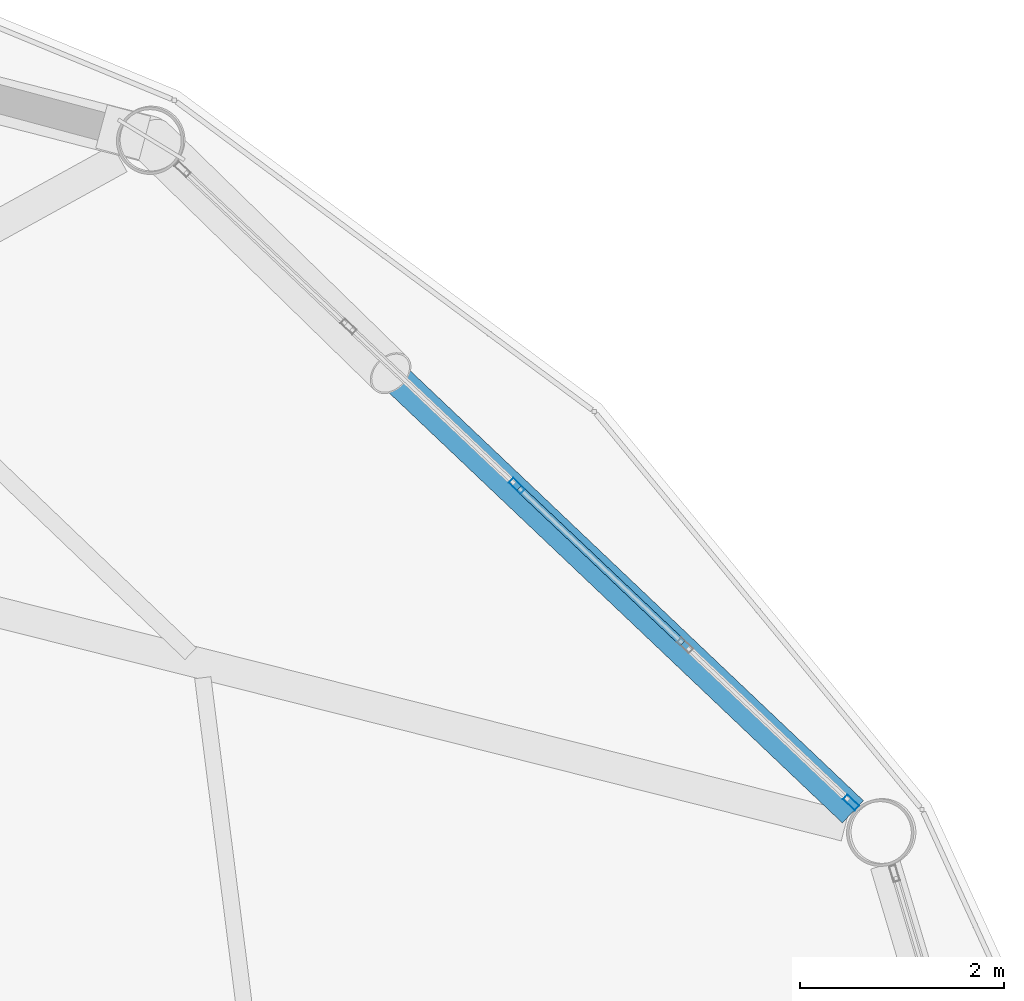
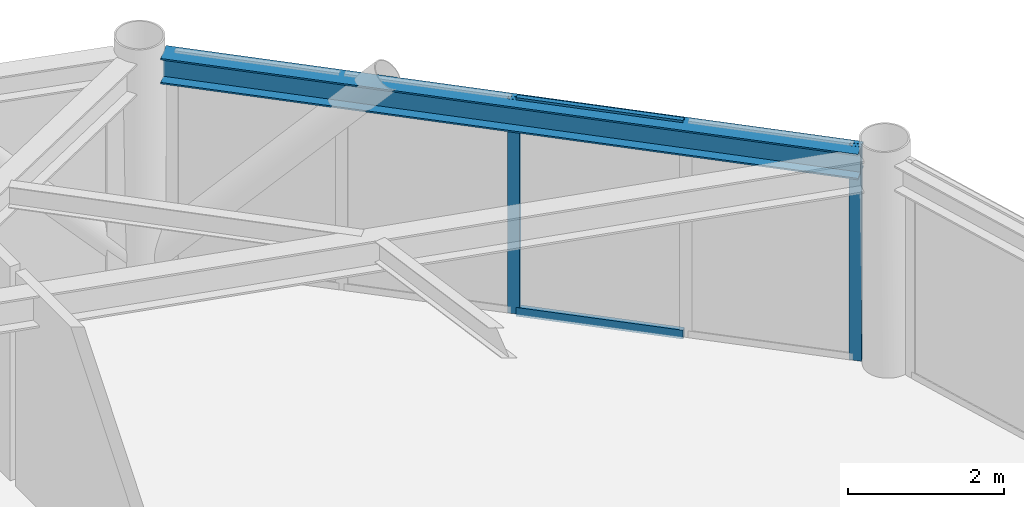
# One storey, part 19 of 29: 4 members, 1 beam, 1 element without a shape of its own.
"""IFC4 building model written with IfcOpenShell, lengths in metres."""

from ifc_helpers import new_model, si_unit, direction, frame, origin, origin_2d, place, context, subcontext, project, spatial, hollow_rectangle, i_section, extrude, material, layer, layer_set, material_profile, profile_set, type_object, element, aggregate, save


model = new_model("IFC4")

# Units and contexts
model_context = context("Model", 3, precision=1e-05, world=origin(), true_north=direction((0.0, 1.0)))
body_context = subcontext(model_context, "Body", "Model", "MODEL_VIEW")
ifc_project = project(units=[si_unit("LENGTHUNIT", "METRE"), si_unit("AREAUNIT", "SQUARE_METRE"), si_unit("VOLUMEUNIT", "CUBIC_METRE"), si_unit("PLANEANGLEUNIT", "RADIAN"), si_unit("MASSUNIT", "GRAM", prefix="KILO")], contexts=[model_context])

# Site, building, storey
site_placement = place(None, origin())
site = spatial("IfcSite", under=ifc_project, at=site_placement, CompositionType="ELEMENT")
building_placement = place(site_placement, origin())
building = spatial("IfcBuilding", under=site, at=building_placement, Name="Varnakorn Sky Granary", CompositionType="ELEMENT")
storey_placement = place(building_placement, frame((0.0, 0.0, 182.39990234375)))
storey = spatial("IfcBuildingStorey", under=building, at=storey_placement, Name="L45", CompositionType="ELEMENT", Elevation=182.39990234375)

# Beam
ifc_material_1 = material(Name="Steel S355JR", Category="steel")
ifc_material_profile_1 = material_profile(ifc_material_1, i_section(OverallWidth=0.300048828125, OverallDepth=0.39990234375, WebThickness=0.013427734375, FlangeThickness=0.02392578125, at=origin_2d()), Name="HE 400 B")
ifc_profile_set_1 = profile_set([ifc_material_profile_1], Name="Steel S355JR")
beam_type = type_object("IfcBeamType", Name="BM-SPD-Z4", PredefinedType="SPANDREL", material=ifc_profile_set_1)
beam_placement = place(storey_placement, frame((21.519287109375, 9.473388671875, 3.16015625), z_axis=(-0.725435205261, 0.688290464098, 0.0), x_axis=(-0.688290464098, -0.725435205261, 0.0)))
element("IfcBeam", 1, at=beam_placement, inside=storey, type_object=beam_type, Name="Perimeter Spandrel Ring Beam RB02 L45", PredefinedType="SPANDREL", context=body_context, shape_type="SweptSolid", body=[
    extrude(i_section(OverallWidth=0.300048828125, OverallDepth=0.39990234375, WebThickness=0.013427734375, FlangeThickness=0.02392578125, at=origin_2d()), origin(), (0.0, 0.0, 1.0), 9.21484375),
])

# Curtain wall, members
ifc_material_2 = material(Name="Anodised Bronze Aluminium Alloy 6063-T6", Category="aluminium")
ifc_layer = layer(ifc_material_2, 0.169921875, Name="Anodised Bronze Aluminium Alloy 6063-T6")
ifc_layer_set = layer_set([ifc_layer], Name="Anodised Bronze Aluminium Alloy 6063-T6")
curtain_wall_type = type_object("IfcCurtainWallType", Name="CW-LAB-1", PredefinedType="USERDEFINED", material=ifc_layer_set)
curtain_wall_placement = place(storey_placement, origin())
curtain_wall = element("IfcCurtainWall", 2, at=curtain_wall_placement, inside=storey, type_object=curtain_wall_type, Name="Unitised Curtain Wall CW5 CW-L45-B02", ObjectType="CURTAIN WALL", PredefinedType="USERDEFINED")
ifc_material_profile_2 = material_profile(ifc_material_2, hollow_rectangle(XDim=0.06494140625, YDim=0.159912109375, WallThickness=0.00341796875, at=origin_2d()), Name="ALU MULL 65x160")
ifc_profile_set_2 = profile_set([ifc_material_profile_2], Name="Anodised Bronze Aluminium Alloy 6063-T6")
member_type_1 = type_object("IfcMemberType", Name="CW-LAB-1-MULL", PredefinedType="MULLION", material=ifc_profile_set_2)
member_1_placement = place(storey_placement, frame((18.223388671875, 12.66796875, 0.0), z_axis=(0.0, 0.0, 1.0), x_axis=(0.687692477005, 0.726002105418, 0.0)))
member_1 = element("IfcMember", 3, at=member_1_placement, type_object=member_type_1, Name="CW5 mullion 3", PredefinedType="MULLION", context=body_context, shape_type="SweptSolid", body=[
    extrude(hollow_rectangle(XDim=0.06494140625, YDim=0.159912109375, WallThickness=0.00341796875, at=origin_2d()), origin(), (0.0, 0.0, 1.0), 3.360107421875),
])
member_2_placement = place(storey_placement, frame((21.5, 9.56396484375, 0.0), z_axis=(0.0, 0.0, 1.0), x_axis=(0.687692477005, 0.726002105418, 0.0)))
member_2 = element("IfcMember", 4, at=member_2_placement, type_object=member_type_1, Name="CW5 mullion 5", PredefinedType="MULLION", context=body_context, shape_type="SweptSolid", body=[
    extrude(hollow_rectangle(XDim=0.06494140625, YDim=0.159912109375, WallThickness=0.00341796875, at=origin_2d()), origin(), (0.0, 0.0, 1.0), 3.360107421875),
])
ifc_material_profile_3 = material_profile(ifc_material_2, hollow_rectangle(XDim=0.070068359375, YDim=0.139892578125, WallThickness=0.00341796875, at=origin_2d()), Name="ALU TRAN 70x140")
ifc_profile_set_3 = profile_set([ifc_material_profile_3], Name="Anodised Bronze Aluminium Alloy 6063-T6")
member_type_2 = type_object("IfcMemberType", Name="CW-LAB-1-TRAN", PredefinedType="USERDEFINED", material=ifc_profile_set_3)
member_3_placement = place(storey_placement, frame((18.2470703125, 12.6455078125, 0.03515625), z_axis=(0.725978835909, -0.687717041968, 0.0), x_axis=(0.687717041968, 0.725978835909, 0.0)))
member_3 = element("IfcMember", 5, at=member_3_placement, type_object=member_type_2, Name="CW5 transom 3.1", ObjectType="TRANSOM", PredefinedType="USERDEFINED", context=body_context, shape_type="SweptSolid", body=[
    extrude(hollow_rectangle(XDim=0.070068359375, YDim=0.139892578125, WallThickness=0.00341796875, at=origin_2d()), origin(), (0.0, 0.0, 1.0), 2.207763671875),
])
member_4_placement = place(storey_placement, frame((18.2470703125, 12.6455078125, 3.3251953125), z_axis=(0.725978835909, -0.687717041968, 0.0), x_axis=(0.687717041968, 0.725978835909, 0.0)))
member_4 = element("IfcMember", 6, at=member_4_placement, type_object=member_type_2, Name="CW5 transom 3.2", ObjectType="TRANSOM", PredefinedType="USERDEFINED", context=body_context, shape_type="SweptSolid", body=[
    extrude(hollow_rectangle(XDim=0.070068359375, YDim=0.139892578125, WallThickness=0.00341796875, at=origin_2d()), origin(), (0.0, 0.0, 1.0), 2.207763671875),
])
aggregate(curtain_wall, [member_1, member_2, member_3, member_4])

save(model, "model.ifc")
